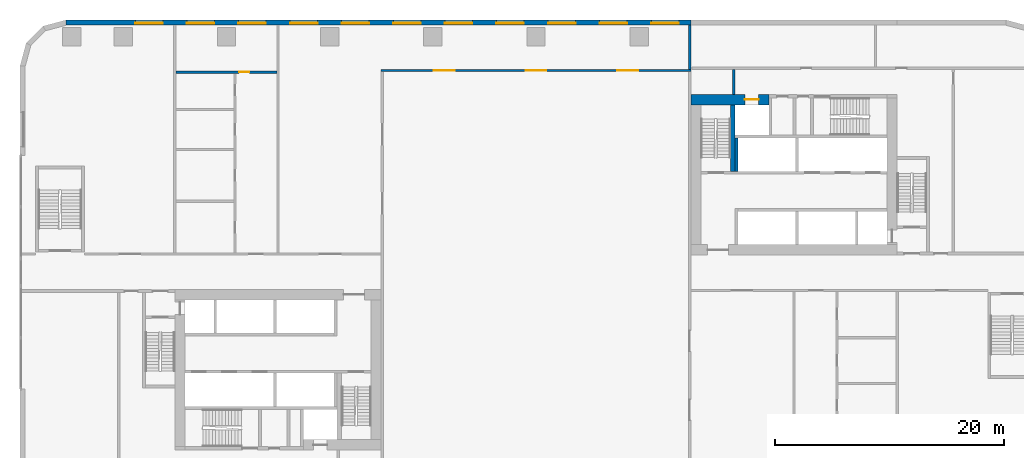
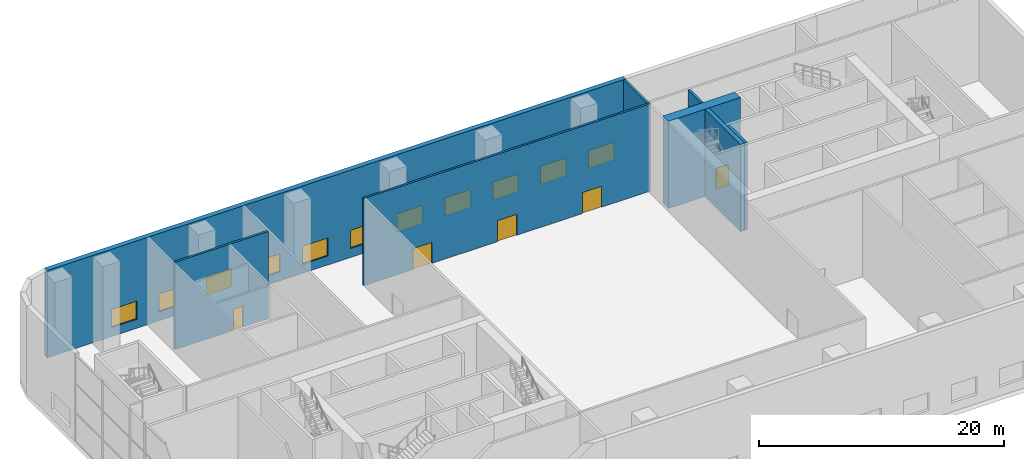
# One storey, part 9 of 24: 11 windows, 8 walls, 5 doors, 16 openings.
"""IFC4 building model written with IfcOpenShell, lengths in metres."""

from ifc_helpers import new_model, si_unit, direction, frame, frame_2d, origin, place, context, subcontext, project, spatial, rectangle, extrude, material, layer, layer_set, type_object, element, fill, save


model = new_model("IFC4")

# Units and contexts
model_context = context("Model", 3, precision=1e-05, world=origin(), true_north=direction((0.0, 1.0)))
body_context = subcontext(model_context, "Body", "Model", "MODEL_VIEW")
ifc_project = project(units=[si_unit("LENGTHUNIT", "METRE"), si_unit("AREAUNIT", "SQUARE_METRE"), si_unit("VOLUMEUNIT", "CUBIC_METRE"), si_unit("PLANEANGLEUNIT", "RADIAN"), si_unit("MASSUNIT", "GRAM", prefix="KILO")], contexts=[model_context])

# Site, building, storey
site_placement = place(None, origin())
site = spatial("IfcSite", under=ifc_project, at=site_placement, CompositionType="ELEMENT")
building_placement = place(site_placement, origin())
building = spatial("IfcBuilding", under=site, at=building_placement, Name="Kajstack Hotel Tower", CompositionType="ELEMENT")
storey_placement = place(building_placement, frame((0.0, 0.0, 38.0)))
storey = spatial("IfcBuildingStorey", under=building, at=storey_placement, Name="L06", CompositionType="ELEMENT", Elevation=38.0)

# Wall, opening, door
ifc_material_1 = material(Name="Concrete C60/75", Category="concrete")
ifc_layer_1 = layer(ifc_material_1, 0.89990234375)
ifc_layer_set_1 = layer_set([ifc_layer_1], Name="Core wall 900")
wall_type_1 = type_object("IfcWallType", Name="Core wall 900", PredefinedType="SHEAR", material=ifc_layer_set_1)
wall_1_placement = place(storey_placement, frame((13.5, 15.050048828125, 0.0), z_axis=(0.0, 0.0, 1.0), x_axis=(1.0, 0.0, 0.0)))
wall_1 = element("IfcWall", 1, at=wall_1_placement, inside=storey, type_object=wall_type_1, Name="Core wall E RS", PredefinedType="SHEAR", context=body_context, shape_type="SweptSolid", body=[
    extrude(rectangle(XDim=6.800048828125, YDim=0.89990234375, at=frame_2d((3.39990234375, 0.0))), origin(), (0.0, 0.0, 1.0), 8.699951171875),
])
opening_1_placement = place(wall_1_placement, frame((4.72509765625, 0.0, 0.0)))
opening_1 = element("IfcOpeningElement", 2, at=opening_1_placement, cuts=wall_1, Name="Opening LD-SV2", PredefinedType="OPENING", context=body_context, shape_type="SweptSolid", body=[
    extrude(rectangle(XDim=1.199951171875, YDim=2.10009765625, at=frame_2d((0.60009765625, 1.050048828125))), frame((0.0, 0.4599609375, 0.0), z_axis=(0.0, -1.0, 0.0), x_axis=(1.0, 0.0, 0.0)), (0.0, 0.0, 1.0), 0.919921875),
])
ifc_material_2 = material(Name="Stainless steel", Category="steel")
door_type_1 = type_object("IfcDoorType", Name="Lift landing door 1200", OperationType="SLIDING_TO_LEFT", PredefinedType="DOOR", material=ifc_material_2)
door_1_placement = place(opening_1_placement, origin())
door_1 = element("IfcDoor", 3, at=door_1_placement, inside=storey, type_object=door_type_1, Name="Landing door SV2", OperationType="SLIDING_TO_LEFT", OverallHeight=2.10009765625, OverallWidth=1.199951171875, PredefinedType="DOOR", context=body_context, shape_type="SweptSolid", body=[
    extrude(rectangle(XDim=1.199951171875, YDim=2.10009765625, at=frame_2d((0.60009765625, 1.050048828125))), frame((0.0, 0.02490234375, 0.0), z_axis=(0.0, -1.0, 0.0), x_axis=(1.0, 0.0, 0.0)), (0.0, 0.0, 1.0), 0.050048828125),
])
fill(opening_1, door_1)

# Wall, openings, windows
ifc_material_3 = material(Name="Terracotta-faced brick masonry", Category="masonry")
ifc_layer_2 = layer(ifc_material_3, 0.449951171875)
ifc_layer_set_2 = layer_set([ifc_layer_2], Name="EW-TERRA")
wall_type_2 = type_object("IfcWallType", Name="EW-TERRA", PredefinedType="SOLIDWALL", material=ifc_layer_set_2)
wall_2_placement = place(storey_placement, frame((13.5, 21.77490234375, 0.0), z_axis=(0.0, 0.0, 1.0), x_axis=(-1.0, 0.0, 0.0)))
wall_2 = element("IfcWall", 4, at=wall_2_placement, inside=storey, type_object=wall_type_2, Name="E-wall-L06-11-02", PredefinedType="SOLIDWALL", context=body_context, shape_type="SweptSolid", body=[
    extrude(rectangle(XDim=54.5, YDim=0.449951171875, at=frame_2d((27.25, 0.0))), origin(), (0.0, 0.0, 1.0), 8.699951171875),
])
opening_2_placement = place(wall_2_placement, frame((1.050048828125, 0.0, 0.89990234375)))
opening_2 = element("IfcOpeningElement", 5, at=opening_2_placement, cuts=wall_2, Name="Opening W4", PredefinedType="OPENING", context=body_context, shape_type="SweptSolid", body=[
    extrude(rectangle(XDim=2.39990234375, YDim=1.800048828125, at=frame_2d((1.199951171875, 0.89990234375))), frame((0.0, 0.23486328125, 0.0), z_axis=(0.0, -1.0, 0.0), x_axis=(1.0, 0.0, 0.0)), (0.0, 0.0, 1.0), 0.469970703125),
])
opening_3_placement = place(wall_2_placement, frame((5.550048828125, 0.0, 0.89990234375)))
opening_3 = element("IfcOpeningElement", 6, at=opening_3_placement, cuts=wall_2, Name="Opening W4", PredefinedType="OPENING", context=body_context, shape_type="SweptSolid", body=[
    extrude(rectangle(XDim=2.39990234375, YDim=1.800048828125, at=frame_2d((1.199951171875, 0.89990234375))), frame((0.0, 0.23486328125, 0.0), z_axis=(0.0, -1.0, 0.0), x_axis=(1.0, 0.0, 0.0)), (0.0, 0.0, 1.0), 0.469970703125),
])
opening_4_placement = place(wall_2_placement, frame((10.050048828125, 0.0, 0.89990234375)))
opening_4 = element("IfcOpeningElement", 7, at=opening_4_placement, cuts=wall_2, Name="Opening W4", PredefinedType="OPENING", context=body_context, shape_type="SweptSolid", body=[
    extrude(rectangle(XDim=2.39990234375, YDim=1.800048828125, at=frame_2d((1.199951171875, 0.89990234375))), frame((0.0, 0.23486328125, 0.0), z_axis=(0.0, -1.0, 0.0), x_axis=(1.0, 0.0, 0.0)), (0.0, 0.0, 1.0), 0.469970703125),
])
opening_5_placement = place(wall_2_placement, frame((14.550048828125, 0.0, 0.89990234375)))
opening_5 = element("IfcOpeningElement", 8, at=opening_5_placement, cuts=wall_2, Name="Opening W4", PredefinedType="OPENING", context=body_context, shape_type="SweptSolid", body=[
    extrude(rectangle(XDim=2.39990234375, YDim=1.800048828125, at=frame_2d((1.199951171875, 0.89990234375))), frame((0.0, 0.23486328125, 0.0), z_axis=(0.0, -1.0, 0.0), x_axis=(1.0, 0.0, 0.0)), (0.0, 0.0, 1.0), 0.469970703125),
])
opening_6_placement = place(wall_2_placement, frame((19.050048828125, 0.0, 0.89990234375)))
opening_6 = element("IfcOpeningElement", 9, at=opening_6_placement, cuts=wall_2, Name="Opening W4", PredefinedType="OPENING", context=body_context, shape_type="SweptSolid", body=[
    extrude(rectangle(XDim=2.39990234375, YDim=1.800048828125, at=frame_2d((1.199951171875, 0.89990234375))), frame((0.0, 0.23486328125, 0.0), z_axis=(0.0, -1.0, 0.0), x_axis=(1.0, 0.0, 0.0)), (0.0, 0.0, 1.0), 0.469970703125),
])
opening_7_placement = place(wall_2_placement, frame((23.550048828125, 0.0, 0.89990234375)))
opening_7 = element("IfcOpeningElement", 10, at=opening_7_placement, cuts=wall_2, Name="Opening W4", PredefinedType="OPENING", context=body_context, shape_type="SweptSolid", body=[
    extrude(rectangle(XDim=2.39990234375, YDim=1.800048828125, at=frame_2d((1.199951171875, 0.89990234375))), frame((0.0, 0.23486328125, 0.0), z_axis=(0.0, -1.0, 0.0), x_axis=(1.0, 0.0, 0.0)), (0.0, 0.0, 1.0), 0.469970703125),
])
opening_8_placement = place(wall_2_placement, frame((28.050048828125, 0.0, 0.89990234375)))
opening_8 = element("IfcOpeningElement", 11, at=opening_8_placement, cuts=wall_2, Name="Opening W4", PredefinedType="OPENING", context=body_context, shape_type="SweptSolid", body=[
    extrude(rectangle(XDim=2.39990234375, YDim=1.800048828125, at=frame_2d((1.199951171875, 0.89990234375))), frame((0.0, 0.23486328125, 0.0), z_axis=(0.0, -1.0, 0.0), x_axis=(1.0, 0.0, 0.0)), (0.0, 0.0, 1.0), 0.469970703125),
])
opening_9_placement = place(wall_2_placement, frame((32.550048828125, 0.0, 0.89990234375)))
opening_9 = element("IfcOpeningElement", 12, at=opening_9_placement, cuts=wall_2, Name="Opening W4", PredefinedType="OPENING", context=body_context, shape_type="SweptSolid", body=[
    extrude(rectangle(XDim=2.39990234375, YDim=1.800048828125, at=frame_2d((1.199951171875, 0.89990234375))), frame((0.0, 0.23486328125, 0.0), z_axis=(0.0, -1.0, 0.0), x_axis=(1.0, 0.0, 0.0)), (0.0, 0.0, 1.0), 0.469970703125),
])
opening_10_placement = place(wall_2_placement, frame((37.050048828125, 0.0, 0.89990234375)))
opening_10 = element("IfcOpeningElement", 13, at=opening_10_placement, cuts=wall_2, Name="Opening W4", PredefinedType="OPENING", context=body_context, shape_type="SweptSolid", body=[
    extrude(rectangle(XDim=2.39990234375, YDim=1.800048828125, at=frame_2d((1.199951171875, 0.89990234375))), frame((0.0, 0.23486328125, 0.0), z_axis=(0.0, -1.0, 0.0), x_axis=(1.0, 0.0, 0.0)), (0.0, 0.0, 1.0), 0.469970703125),
])
opening_11_placement = place(wall_2_placement, frame((41.550048828125, 0.0, 0.89990234375)))
opening_11 = element("IfcOpeningElement", 14, at=opening_11_placement, cuts=wall_2, Name="Opening W4", PredefinedType="OPENING", context=body_context, shape_type="SweptSolid", body=[
    extrude(rectangle(XDim=2.39990234375, YDim=1.800048828125, at=frame_2d((1.199951171875, 0.89990234375))), frame((0.0, 0.23486328125, 0.0), z_axis=(0.0, -1.0, 0.0), x_axis=(1.0, 0.0, 0.0)), (0.0, 0.0, 1.0), 0.469970703125),
])
opening_12_placement = place(wall_2_placement, frame((46.050048828125, 0.0, 0.89990234375)))
opening_12 = element("IfcOpeningElement", 15, at=opening_12_placement, cuts=wall_2, Name="Opening W4", PredefinedType="OPENING", context=body_context, shape_type="SweptSolid", body=[
    extrude(rectangle(XDim=2.39990234375, YDim=1.800048828125, at=frame_2d((1.199951171875, 0.89990234375))), frame((0.0, 0.23486328125, 0.0), z_axis=(0.0, -1.0, 0.0), x_axis=(1.0, 0.0, 0.0)), (0.0, 0.0, 1.0), 0.469970703125),
])
ifc_material_4 = material(Name="Timber-aluminium window, triple glazed", Category="wood")
window_type = type_object("IfcWindowType", Name="WP1", PartitioningType="SINGLE_PANEL", PredefinedType="WINDOW", material=ifc_material_4)
window_1_placement = place(opening_2_placement, origin())
window_1 = element("IfcWindow", 16, at=window_1_placement, inside=storey, type_object=window_type, Name="Window W4 L06-11", OverallHeight=1.800048828125, OverallWidth=2.39990234375, PartitioningType="SINGLE_PANEL", PredefinedType="WINDOW", context=body_context, shape_type="SweptSolid", body=[
    extrude(rectangle(XDim=2.39990234375, YDim=1.800048828125, at=frame_2d((1.199951171875, 0.89990234375))), frame((0.0, 0.090087890625, 0.0), z_axis=(0.0, -1.0, 0.0), x_axis=(1.0, 0.0, 0.0)), (0.0, 0.0, 1.0), 0.06005859375),
])
fill(opening_2, window_1)
window_2_placement = place(opening_3_placement, origin())
window_2 = element("IfcWindow", 17, at=window_2_placement, inside=storey, type_object=window_type, Name="Window W4 L06-11", OverallHeight=1.800048828125, OverallWidth=2.39990234375, PartitioningType="SINGLE_PANEL", PredefinedType="WINDOW", context=body_context, shape_type="SweptSolid", body=[
    extrude(rectangle(XDim=2.39990234375, YDim=1.800048828125, at=frame_2d((1.199951171875, 0.89990234375))), frame((0.0, 0.090087890625, 0.0), z_axis=(0.0, -1.0, 0.0), x_axis=(1.0, 0.0, 0.0)), (0.0, 0.0, 1.0), 0.06005859375),
])
fill(opening_3, window_2)
window_3_placement = place(opening_4_placement, origin())
window_3 = element("IfcWindow", 18, at=window_3_placement, inside=storey, type_object=window_type, Name="Window W4 L06-11", OverallHeight=1.800048828125, OverallWidth=2.39990234375, PartitioningType="SINGLE_PANEL", PredefinedType="WINDOW", context=body_context, shape_type="SweptSolid", body=[
    extrude(rectangle(XDim=2.39990234375, YDim=1.800048828125, at=frame_2d((1.199951171875, 0.89990234375))), frame((0.0, 0.090087890625, 0.0), z_axis=(0.0, -1.0, 0.0), x_axis=(1.0, 0.0, 0.0)), (0.0, 0.0, 1.0), 0.06005859375),
])
fill(opening_4, window_3)
window_4_placement = place(opening_5_placement, origin())
window_4 = element("IfcWindow", 19, at=window_4_placement, inside=storey, type_object=window_type, Name="Window W4 L06-11", OverallHeight=1.800048828125, OverallWidth=2.39990234375, PartitioningType="SINGLE_PANEL", PredefinedType="WINDOW", context=body_context, shape_type="SweptSolid", body=[
    extrude(rectangle(XDim=2.39990234375, YDim=1.800048828125, at=frame_2d((1.199951171875, 0.89990234375))), frame((0.0, 0.090087890625, 0.0), z_axis=(0.0, -1.0, 0.0), x_axis=(1.0, 0.0, 0.0)), (0.0, 0.0, 1.0), 0.06005859375),
])
fill(opening_5, window_4)
window_5_placement = place(opening_6_placement, origin())
window_5 = element("IfcWindow", 20, at=window_5_placement, inside=storey, type_object=window_type, Name="Window W4 L06-11", OverallHeight=1.800048828125, OverallWidth=2.39990234375, PartitioningType="SINGLE_PANEL", PredefinedType="WINDOW", context=body_context, shape_type="SweptSolid", body=[
    extrude(rectangle(XDim=2.39990234375, YDim=1.800048828125, at=frame_2d((1.199951171875, 0.89990234375))), frame((0.0, 0.090087890625, 0.0), z_axis=(0.0, -1.0, 0.0), x_axis=(1.0, 0.0, 0.0)), (0.0, 0.0, 1.0), 0.06005859375),
])
fill(opening_6, window_5)
window_6_placement = place(opening_7_placement, origin())
window_6 = element("IfcWindow", 21, at=window_6_placement, inside=storey, type_object=window_type, Name="Window W4 L06-11", OverallHeight=1.800048828125, OverallWidth=2.39990234375, PartitioningType="SINGLE_PANEL", PredefinedType="WINDOW", context=body_context, shape_type="SweptSolid", body=[
    extrude(rectangle(XDim=2.39990234375, YDim=1.800048828125, at=frame_2d((1.199951171875, 0.89990234375))), frame((0.0, 0.090087890625, 0.0), z_axis=(0.0, -1.0, 0.0), x_axis=(1.0, 0.0, 0.0)), (0.0, 0.0, 1.0), 0.06005859375),
])
fill(opening_7, window_6)
window_7_placement = place(opening_8_placement, origin())
window_7 = element("IfcWindow", 22, at=window_7_placement, inside=storey, type_object=window_type, Name="Window W4 L06-11", OverallHeight=1.800048828125, OverallWidth=2.39990234375, PartitioningType="SINGLE_PANEL", PredefinedType="WINDOW", context=body_context, shape_type="SweptSolid", body=[
    extrude(rectangle(XDim=2.39990234375, YDim=1.800048828125, at=frame_2d((1.199951171875, 0.89990234375))), frame((0.0, 0.090087890625, 0.0), z_axis=(0.0, -1.0, 0.0), x_axis=(1.0, 0.0, 0.0)), (0.0, 0.0, 1.0), 0.06005859375),
])
fill(opening_8, window_7)
window_8_placement = place(opening_9_placement, origin())
window_8 = element("IfcWindow", 23, at=window_8_placement, inside=storey, type_object=window_type, Name="Window W4 L06-11", OverallHeight=1.800048828125, OverallWidth=2.39990234375, PartitioningType="SINGLE_PANEL", PredefinedType="WINDOW", context=body_context, shape_type="SweptSolid", body=[
    extrude(rectangle(XDim=2.39990234375, YDim=1.800048828125, at=frame_2d((1.199951171875, 0.89990234375))), frame((0.0, 0.090087890625, 0.0), z_axis=(0.0, -1.0, 0.0), x_axis=(1.0, 0.0, 0.0)), (0.0, 0.0, 1.0), 0.06005859375),
])
fill(opening_9, window_8)
window_9_placement = place(opening_10_placement, origin())
window_9 = element("IfcWindow", 24, at=window_9_placement, inside=storey, type_object=window_type, Name="Window W4 L06-11", OverallHeight=1.800048828125, OverallWidth=2.39990234375, PartitioningType="SINGLE_PANEL", PredefinedType="WINDOW", context=body_context, shape_type="SweptSolid", body=[
    extrude(rectangle(XDim=2.39990234375, YDim=1.800048828125, at=frame_2d((1.199951171875, 0.89990234375))), frame((0.0, 0.090087890625, 0.0), z_axis=(0.0, -1.0, 0.0), x_axis=(1.0, 0.0, 0.0)), (0.0, 0.0, 1.0), 0.06005859375),
])
fill(opening_10, window_9)
window_10_placement = place(opening_11_placement, origin())
window_10 = element("IfcWindow", 25, at=window_10_placement, inside=storey, type_object=window_type, Name="Window W4 L06-11", OverallHeight=1.800048828125, OverallWidth=2.39990234375, PartitioningType="SINGLE_PANEL", PredefinedType="WINDOW", context=body_context, shape_type="SweptSolid", body=[
    extrude(rectangle(XDim=2.39990234375, YDim=1.800048828125, at=frame_2d((1.199951171875, 0.89990234375))), frame((0.0, 0.090087890625, 0.0), z_axis=(0.0, -1.0, 0.0), x_axis=(1.0, 0.0, 0.0)), (0.0, 0.0, 1.0), 0.06005859375),
])
fill(opening_11, window_10)
window_11_placement = place(opening_12_placement, origin())
window_11 = element("IfcWindow", 26, at=window_11_placement, inside=storey, type_object=window_type, Name="Window W4 L06-11", OverallHeight=1.800048828125, OverallWidth=2.39990234375, PartitioningType="SINGLE_PANEL", PredefinedType="WINDOW", context=body_context, shape_type="SweptSolid", body=[
    extrude(rectangle(XDim=2.39990234375, YDim=1.800048828125, at=frame_2d((1.199951171875, 0.89990234375))), frame((0.0, 0.090087890625, 0.0), z_axis=(0.0, -1.0, 0.0), x_axis=(1.0, 0.0, 0.0)), (0.0, 0.0, 1.0), 0.06005859375),
])
fill(opening_12, window_11)

# Wall, opening, door
ifc_material_5 = material(Name="Gypsum board on steel studs, mineral wool", Category="steel")
ifc_layer_3 = layer(ifc_material_5, 0.199951171875)
ifc_layer_set_3 = layer_set([ifc_layer_3], Name="Public partition 200")
wall_type_3 = type_object("IfcWallType", Name="Public partition 200", PredefinedType="PARTITIONING", material=ifc_layer_set_3)
wall_3_placement = place(storey_placement, frame((-31.39990234375, 17.449951171875, 0.0), z_axis=(0.0, 0.0, 1.0), x_axis=(1.0, 0.0, 0.0)))
wall_3 = element("IfcWall", 27, at=wall_3_placement, inside=storey, type_object=wall_type_3, Name="Partition C1BW", PredefinedType="PARTITIONING", context=body_context, shape_type="SweptSolid", body=[
    extrude(rectangle(XDim=8.7998046875, YDim=0.199951171875, at=frame_2d((4.39990234375, 0.0))), origin(), (0.0, 0.0, 1.0), 8.699951171875),
])
opening_13_placement = place(wall_3_placement, frame((5.5, 0.0, 0.0)))
opening_13 = element("IfcOpeningElement", 28, at=opening_13_placement, cuts=wall_3, Name="Opening 06P07", PredefinedType="OPENING", context=body_context, shape_type="SweptSolid", body=[
    extrude(rectangle(XDim=0.89990234375, YDim=2.10009765625, at=frame_2d((0.449951171875, 1.050048828125))), frame((0.0, 0.10986328125, 0.0), z_axis=(0.0, -1.0, 0.0), x_axis=(1.0, 0.0, 0.0)), (0.0, 0.0, 1.0), 0.219970703125),
])
ifc_material_6 = material(Name="Timber leaf", Category="wood")
door_type_2 = type_object("IfcDoorType", Name="Public room door 900", OperationType="SINGLE_SWING_LEFT", PredefinedType="DOOR", material=ifc_material_6)
door_2_placement = place(opening_13_placement, origin())
door_2 = element("IfcDoor", 29, at=door_2_placement, inside=storey, type_object=door_type_2, Name="Door 06P07", OperationType="SINGLE_SWING_LEFT", OverallHeight=2.10009765625, OverallWidth=0.89990234375, PredefinedType="DOOR", context=body_context, shape_type="SweptSolid", body=[
    extrude(rectangle(XDim=0.89990234375, YDim=2.10009765625, at=frame_2d((0.449951171875, 1.050048828125))), frame((0.0, 0.02490234375, 0.0), z_axis=(0.0, -1.0, 0.0), x_axis=(1.0, 0.0, 0.0)), (0.0, 0.0, 1.0), 0.050048828125),
])
fill(opening_13, door_2)

# Wall, openings, doors
wall_4_placement = place(storey_placement, frame((-13.5, 17.60009765625, 0.0), z_axis=(0.0, 0.0, 1.0), x_axis=(1.0, 0.0, 0.0)))
wall_4 = element("IfcWall", 30, at=wall_4_placement, inside=storey, type_object=wall_type_3, Name="Partition BWN", PredefinedType="PARTITIONING", context=body_context, shape_type="SweptSolid", body=[
    extrude(rectangle(XDim=27.0, YDim=0.199951171875, at=frame_2d((13.5, 0.0))), origin(), (0.0, 0.0, 1.0), 8.699951171875),
])
opening_14_placement = place(wall_4_placement, frame((4.60009765625, 0.0, 0.0)))
opening_14 = element("IfcOpeningElement", 31, at=opening_14_placement, cuts=wall_4, Name="Opening 06P21", PredefinedType="OPENING", context=body_context, shape_type="SweptSolid", body=[
    extrude(rectangle(XDim=1.800048828125, YDim=2.10009765625, at=frame_2d((0.89990234375, 1.050048828125))), frame((0.0, 0.10986328125, 0.0), z_axis=(0.0, -1.0, 0.0), x_axis=(1.0, 0.0, 0.0)), (0.0, 0.0, 1.0), 0.219970703125),
])
opening_15_placement = place(wall_4_placement, frame((12.60009765625, 0.0, 0.0)))
opening_15 = element("IfcOpeningElement", 32, at=opening_15_placement, cuts=wall_4, Name="Opening 06P22", PredefinedType="OPENING", context=body_context, shape_type="SweptSolid", body=[
    extrude(rectangle(XDim=1.800048828125, YDim=2.10009765625, at=frame_2d((0.89990234375, 1.050048828125))), frame((0.0, 0.10986328125, 0.0), z_axis=(0.0, -1.0, 0.0), x_axis=(1.0, 0.0, 0.0)), (0.0, 0.0, 1.0), 0.219970703125),
])
opening_16_placement = place(wall_4_placement, frame((20.60009765625, 0.0, 0.0)))
opening_16 = element("IfcOpeningElement", 33, at=opening_16_placement, cuts=wall_4, Name="Opening 06P23", PredefinedType="OPENING", context=body_context, shape_type="SweptSolid", body=[
    extrude(rectangle(XDim=1.800048828125, YDim=2.10009765625, at=frame_2d((0.89990234375, 1.050048828125))), frame((0.0, 0.10986328125, 0.0), z_axis=(0.0, -1.0, 0.0), x_axis=(1.0, 0.0, 0.0)), (0.0, 0.0, 1.0), 0.219970703125),
])
ifc_material_7 = material(Name="Glazed timber frame, fire-rated glass", Category="wood")
door_type_3 = type_object("IfcDoorType", Name="Public double door 1800", OperationType="DOUBLE_DOOR_DOUBLE_SWING", PredefinedType="DOOR", material=ifc_material_7)
door_3_placement = place(opening_14_placement, origin())
door_3 = element("IfcDoor", 34, at=door_3_placement, inside=storey, type_object=door_type_3, Name="Door 06P21", OperationType="DOUBLE_DOOR_DOUBLE_SWING", OverallHeight=2.10009765625, OverallWidth=1.800048828125, PredefinedType="DOOR", context=body_context, shape_type="SweptSolid", body=[
    extrude(rectangle(XDim=1.800048828125, YDim=2.10009765625, at=frame_2d((0.89990234375, 1.050048828125))), frame((0.0, 0.02490234375, 0.0), z_axis=(0.0, -1.0, 0.0), x_axis=(1.0, 0.0, 0.0)), (0.0, 0.0, 1.0), 0.050048828125),
])
fill(opening_14, door_3)
door_4_placement = place(opening_15_placement, origin())
door_4 = element("IfcDoor", 35, at=door_4_placement, inside=storey, type_object=door_type_3, Name="Door 06P22", OperationType="DOUBLE_DOOR_DOUBLE_SWING", OverallHeight=2.10009765625, OverallWidth=1.800048828125, PredefinedType="DOOR", context=body_context, shape_type="SweptSolid", body=[
    extrude(rectangle(XDim=1.800048828125, YDim=2.10009765625, at=frame_2d((0.89990234375, 1.050048828125))), frame((0.0, 0.02490234375, 0.0), z_axis=(0.0, -1.0, 0.0), x_axis=(1.0, 0.0, 0.0)), (0.0, 0.0, 1.0), 0.050048828125),
])
fill(opening_15, door_4)
door_5_placement = place(opening_16_placement, origin())
door_5 = element("IfcDoor", 36, at=door_5_placement, inside=storey, type_object=door_type_3, Name="Door 06P23", OperationType="DOUBLE_DOOR_DOUBLE_SWING", OverallHeight=2.10009765625, OverallWidth=1.800048828125, PredefinedType="DOOR", context=body_context, shape_type="SweptSolid", body=[
    extrude(rectangle(XDim=1.800048828125, YDim=2.10009765625, at=frame_2d((0.89990234375, 1.050048828125))), frame((0.0, 0.02490234375, 0.0), z_axis=(0.0, -1.0, 0.0), x_axis=(1.0, 0.0, 0.0)), (0.0, 0.0, 1.0), 0.050048828125),
])
fill(opening_16, door_5)

# Walls
wall_5_placement = place(storey_placement, frame((13.39990234375, 17.699951171875, 0.0), z_axis=(0.0, 0.0, 1.0), x_axis=(0.0, 1.0, 0.0)))
element("IfcWall", 37, at=wall_5_placement, inside=storey, type_object=wall_type_3, Name="Partition NFE", PredefinedType="PARTITIONING", context=body_context, shape_type="SweptSolid", body=[
    extrude(rectangle(XDim=3.85009765625, YDim=0.199951171875, at=frame_2d((1.925048828125, 0.0))), origin(), (0.0, 0.0, 1.0), 8.699951171875),
])
ifc_layer_4 = layer(ifc_material_5, 0.199951171875)
ifc_layer_set_4 = layer_set([ifc_layer_4], Name="Service partition 200")
wall_type_4 = type_object("IfcWallType", Name="Service partition 200", PredefinedType="PARTITIONING", material=ifc_layer_set_4)
wall_6_placement = place(storey_placement, frame((17.25, 15.5, 0.0), z_axis=(0.0, 0.0, 1.0), x_axis=(0.0, 1.0, 0.0)))
element("IfcWall", 38, at=wall_6_placement, inside=storey, type_object=wall_type_4, Name="Partition E SCE", PredefinedType="PARTITIONING", context=body_context, shape_type="SweptSolid", body=[
    extrude(rectangle(XDim=2.199951171875, YDim=0.199951171875, at=frame_2d((1.10009765625, 0.0))), origin(), (0.0, 0.0, 1.0), 8.699951171875),
])
ifc_material_8 = material(Name="Concrete C50/60", Category="concrete")
ifc_layer_5 = layer(ifc_material_8, 0.25)
ifc_layer_set_5 = layer_set([ifc_layer_5], Name="Shaft wall 250")
wall_type_5 = type_object("IfcWallType", Name="Shaft wall 250", PredefinedType="SHEAR", material=ifc_layer_set_5)
wall_7_placement = place(storey_placement, frame((17.47509765625, 8.800048828125, 0.0), z_axis=(0.0, 0.0, 1.0), x_axis=(0.0, 1.0, 0.0)))
element("IfcWall", 39, at=wall_7_placement, inside=storey, type_object=wall_type_5, Name="Core wall E BE", PredefinedType="SHEAR", context=body_context, shape_type="SweptSolid", body=[
    extrude(rectangle(XDim=2.89990234375, YDim=0.25, at=frame_2d((1.449951171875, 0.0))), origin(), (0.0, 0.0, 1.0), 8.699951171875),
])
ifc_layer_6 = layer(ifc_material_8, 0.39990234375)
ifc_layer_set_6 = layer_set([ifc_layer_6], Name="Stair wall 400")
wall_type_6 = type_object("IfcWallType", Name="Stair wall 400", PredefinedType="SHEAR", material=ifc_layer_set_6)
wall_8_placement = place(storey_placement, frame((17.14990234375, 8.800048828125, 0.0), z_axis=(0.0, 0.0, 1.0), x_axis=(0.0, 1.0, 0.0)))
element("IfcWall", 40, at=wall_8_placement, inside=storey, type_object=wall_type_6, Name="Core wall E WW2", PredefinedType="SHEAR", context=body_context, shape_type="SweptSolid", body=[
    extrude(rectangle(XDim=5.800048828125, YDim=0.39990234375, at=frame_2d((2.89990234375, 0.0))), origin(), (0.0, 0.0, 1.0), 8.699951171875),
])

save(model, "model.ifc")
